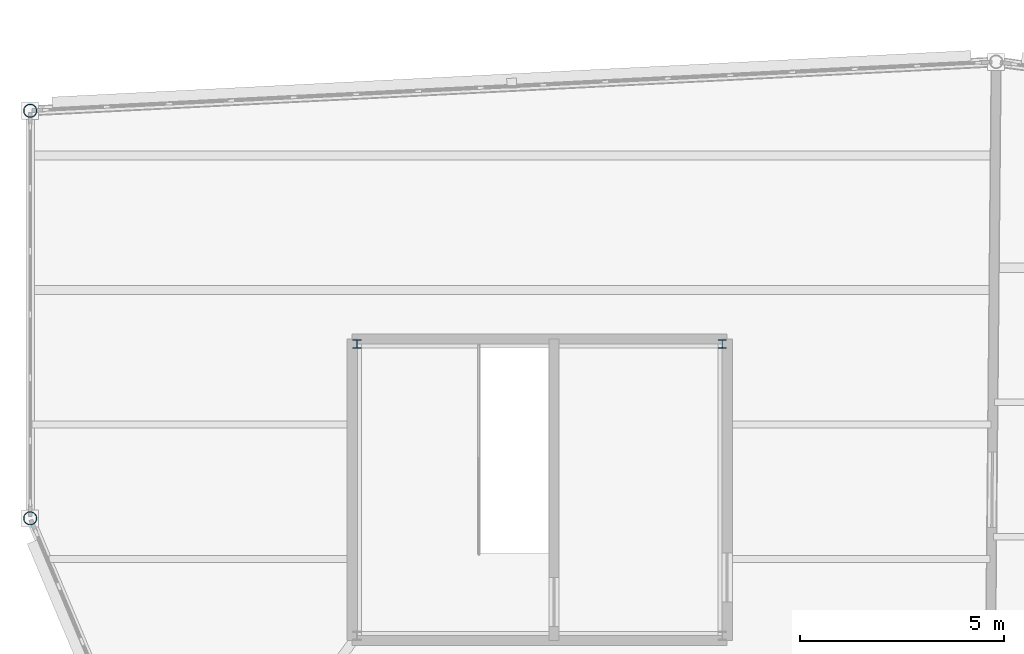
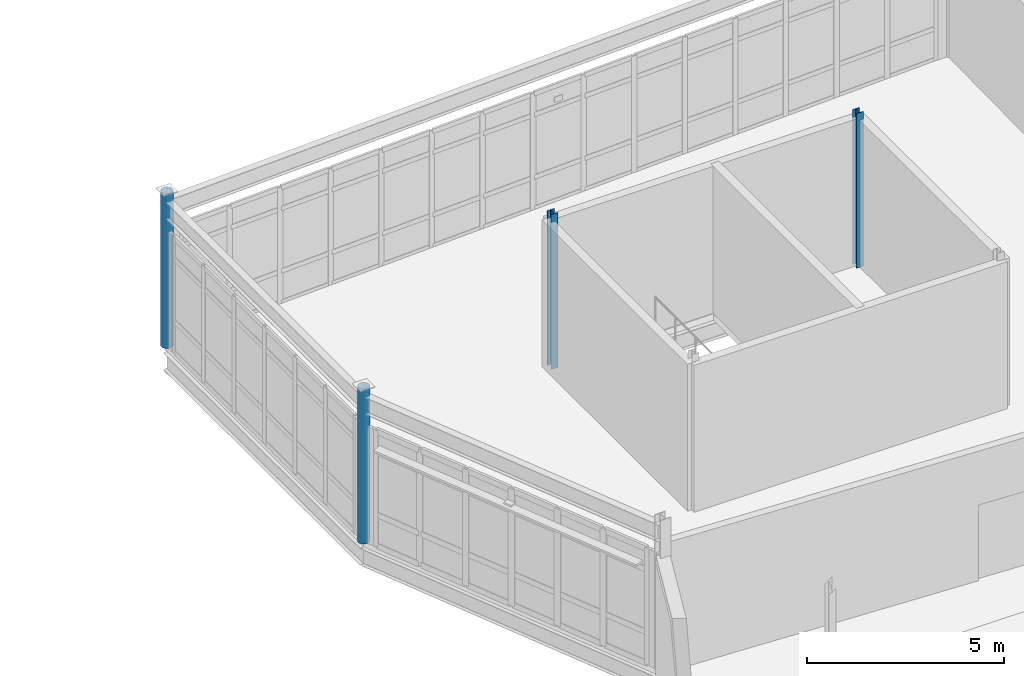
# One storey, part 6 of 134: 4 columns.
"""IFC4 building model written with IfcOpenShell, lengths in metres."""

from ifc_helpers import new_model, si_unit, direction, frame, origin, origin_2d, place, context, subcontext, project, spatial, hollow_circle, i_section, extrude, material, material_profile, profile_set, type_object, element, save


model = new_model("IFC4")

# Units and contexts
model_context = context("Model", 3, precision=1e-05, world=origin(), true_north=direction((0.0, 1.0)))
body_context = subcontext(model_context, "Body", "Model", "MODEL_VIEW")
ifc_project = project(units=[si_unit("LENGTHUNIT", "METRE"), si_unit("AREAUNIT", "SQUARE_METRE"), si_unit("VOLUMEUNIT", "CUBIC_METRE"), si_unit("PLANEANGLEUNIT", "RADIAN"), si_unit("MASSUNIT", "GRAM", prefix="KILO")], contexts=[model_context])

# Site, building, storey
site_placement = place(None, origin())
site = spatial("IfcSite", under=ifc_project, at=site_placement, CompositionType="ELEMENT")
building_placement = place(site_placement, origin())
building = spatial("IfcBuilding", under=site, at=building_placement, Name="Tameran Prism Museum", CompositionType="ELEMENT")
storey_placement = place(building_placement, frame((0.0, 0.0, 5.39990234375)))
storey = spatial("IfcBuildingStorey", under=building, at=storey_placement, Name="L01", CompositionType="ELEMENT", Elevation=5.39990234375)

# Columns
ifc_material_1 = material(Name="Steel Grade C350L0 (350 MPa)", Category="steel")
ifc_material_profile_1 = material_profile(ifc_material_1, hollow_circle(Radius=0.161865234375, WallThickness=0.010009765625, at=origin_2d()))
ifc_profile_set_1 = profile_set([ifc_material_profile_1])
column_type_1 = type_object("IfcColumnType", Name="COL-CHS324", PredefinedType="COLUMN", material=ifc_profile_set_1)
for number, where, z_axis, x_axis, name in (
    (1, (0.0, 31.800048828125, 0.0), (0.0, 0.0, 1.0), (1.0, 0.0, 0.0), "Column CV-03 L01"),
    (2, (0.0, 41.800048828125, 0.0), (0.0, 0.0, 1.0), (1.0, 0.0, 0.0), "Column CV-04 L01"),
):
    element("IfcColumn", number, at=place(storey_placement, frame(where, z_axis=z_axis, x_axis=x_axis)), inside=storey, type_object=column_type_1, Name=name, PredefinedType="COLUMN", context=body_context, shape_type="SweptSolid", body=[
        extrude(hollow_circle(Radius=0.161865234375, WallThickness=0.010009765625, at=origin_2d()), origin(), (0.0, 0.0, 1.0), 4.800048828125),
    ])
ifc_material_2 = material(Name="Steel Grade 300PLUS (300 MPa)", Category="steel")
ifc_material_profile_2 = material_profile(ifc_material_2, i_section(OverallWidth=0.205078125, OverallDepth=0.2099609375, WebThickness=0.00927734375, FlangeThickness=0.01416015625, FilletRadius=0.01025390625, at=origin_2d()))
ifc_profile_set_2 = profile_set([ifc_material_profile_2])
column_type_2 = type_object("IfcColumnType", Name="COL-UC200", PredefinedType="COLUMN", material=ifc_profile_set_2)
for number, where, z_axis, x_axis, name in (
    (3, (16.97998046875, 36.080078125, 0.0), (0.0, 0.0, 1.0), (1.0, 0.0, 0.0), "Column CC-10-3 L01"),
    (4, (8.02001953125, 36.080078125, 0.0), (0.0, 0.0, 1.0), (1.0, 0.0, 0.0), "Column CC-10-4 L01"),
):
    element("IfcColumn", number, at=place(storey_placement, frame(where, z_axis=z_axis, x_axis=x_axis)), inside=storey, type_object=column_type_2, Name=name, PredefinedType="COLUMN", context=body_context, shape_type="SweptSolid", body=[
        extrude(i_section(OverallWidth=0.205078125, OverallDepth=0.2099609375, WebThickness=0.00927734375, FlangeThickness=0.01416015625, FilletRadius=0.01025390625, at=origin_2d()), origin(), (0.0, 0.0, 1.0), 4.800048828125),
    ])

save(model, "model.ifc")
